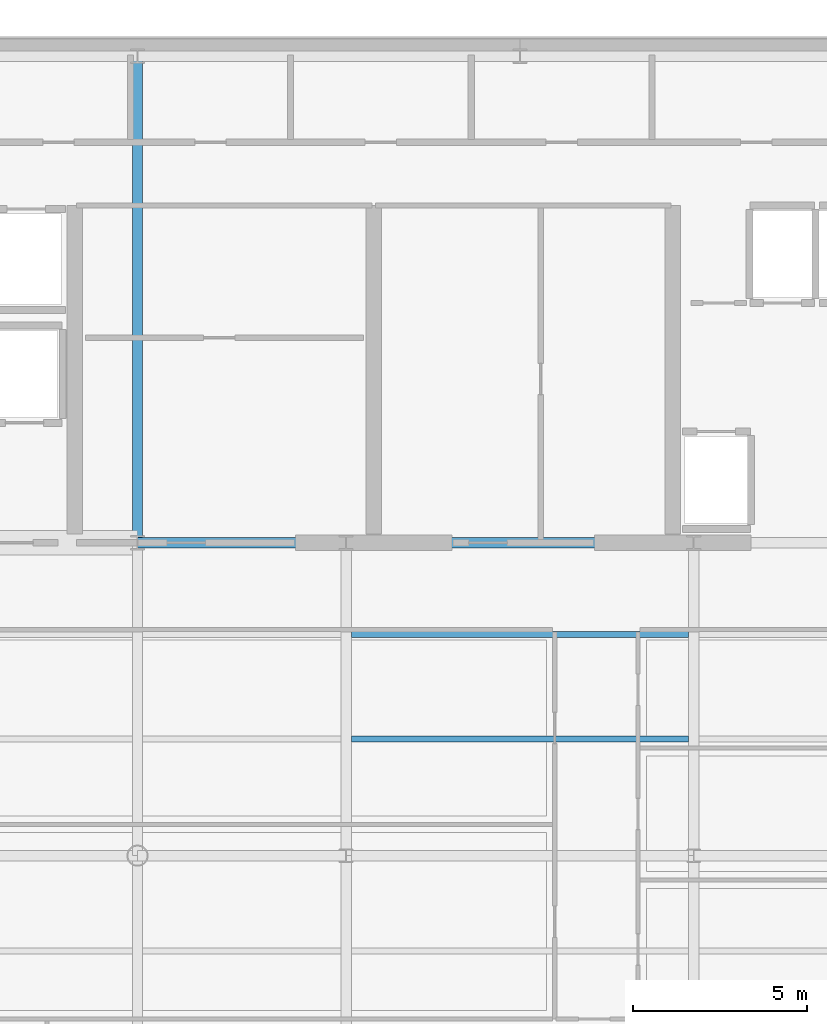
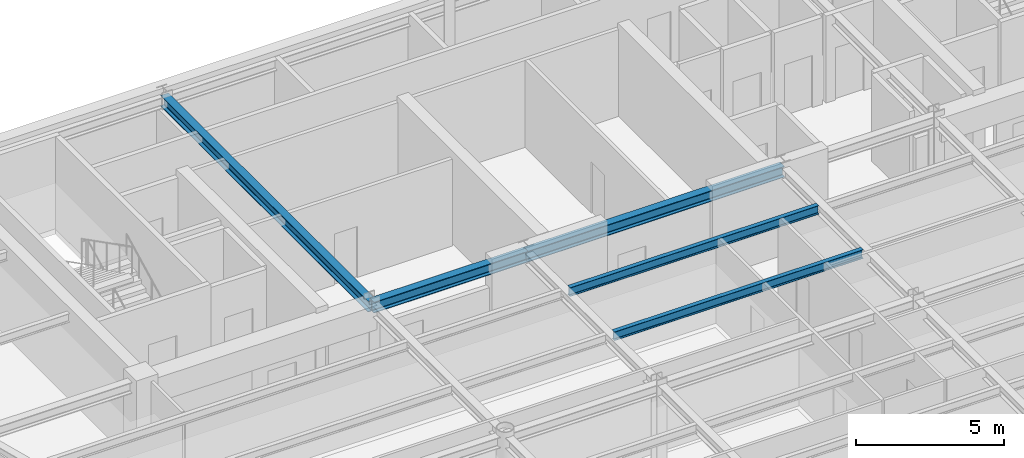
# One storey, part 5 of 20: 5 beams.
"""IFC4 building model written with IfcOpenShell, lengths in metres."""

from ifc_helpers import new_model, si_unit, direction, frame, origin, origin_2d, place, context, subcontext, project, spatial, i_section, extrude, source, transform, mapped, material, material_profile, profile_set, type_object, element, save


model = new_model("IFC4")

# Units and contexts
model_context = context("Model", 3, precision=1e-05, world=origin(), true_north=direction((0.0, 1.0)))
body_context = subcontext(model_context, "Body", "Model", "MODEL_VIEW")
ifc_project = project(units=[si_unit("LENGTHUNIT", "METRE"), si_unit("AREAUNIT", "SQUARE_METRE"), si_unit("VOLUMEUNIT", "CUBIC_METRE"), si_unit("PLANEANGLEUNIT", "RADIAN"), si_unit("MASSUNIT", "GRAM", prefix="KILO")], contexts=[model_context])

# Site, building, storey
site_placement = place(None, origin())
site = spatial("IfcSite", under=ifc_project, at=site_placement, CompositionType="ELEMENT")
building_placement = place(site_placement, origin())
building = spatial("IfcBuilding", under=site, at=building_placement, Name="Vaeldorn Concourse Tower", CompositionType="ELEMENT")
storey_placement = place(building_placement, frame((0.0, 0.0, 295.39990234375)))
storey = spatial("IfcBuildingStorey", under=building, at=storey_placement, Name="L76", CompositionType="ELEMENT", Elevation=295.39990234375)

# Beams
ifc_material = material(Name="Steel S355", Category="steel")
ifc_material_profile_1 = material_profile(ifc_material, i_section(OverallWidth=0.300048828125, OverallDepth=0.449951171875, WebThickness=0.013916015625, FlangeThickness=0.02587890625, FilletRadius=0.027099609375, at=origin_2d()), Name="HEB 450")
ifc_profile_set_1 = profile_set([ifc_material_profile_1], Name="Steel S355")
beam_type_1 = type_object("IfcBeamType", Name="BM-PG-HEB450", PredefinedType="BEAM", material=ifc_profile_set_1)
shared_shape_1 = source(origin(), body_context, "Body", "SweptSolid", [
    extrude(i_section(OverallWidth=0.300048828125, OverallDepth=0.449951171875, WebThickness=0.013916015625, FlangeThickness=0.02587890625, FilletRadius=0.027099609375, at=origin_2d()), origin(), (0.0, 0.0, 1.0), 6.0),
])
beam_1_placement = place(storey_placement, frame((23.0, 36.5, 3.35498046875), z_axis=(1.0, 0.0, 0.0), x_axis=(0.0, 1.0, 0.0)))
element("IfcBeam", 1, at=beam_1_placement, inside=storey, type_object=beam_type_1, Name="Beam BM-L76-C-FC2-C-FC3", PredefinedType="BEAM", context=body_context, shape_type="MappedRepresentation", body=[
    mapped(shared_shape_1, transform((0.0, 0.0, 0.0), scale=1.0)),
])
shared_shape_2 = source(origin(), body_context, "Body", "SweptSolid", [
    extrude(i_section(OverallWidth=0.300048828125, OverallDepth=0.449951171875, WebThickness=0.013916015625, FlangeThickness=0.02587890625, FilletRadius=0.027099609375, at=origin_2d()), origin(), (0.0, 0.0, 1.0), 10.0),
])
beam_2_placement = place(storey_placement, frame((29.0, 36.5, 3.35498046875), z_axis=(1.0, 0.0, 0.0), x_axis=(0.0, 1.0, 0.0)))
element("IfcBeam", 2, at=beam_2_placement, inside=storey, type_object=beam_type_1, Name="Beam BM-L76-C-FC3-C-FC4", PredefinedType="BEAM", context=body_context, shape_type="MappedRepresentation", body=[
    mapped(shared_shape_2, transform((0.0, 0.0, 0.0), scale=1.0)),
])
ifc_material_profile_2 = material_profile(ifc_material, i_section(OverallWidth=0.169921875, OverallDepth=0.360107421875, WebThickness=0.008056640625, FlangeThickness=0.0126953125, FilletRadius=0.01806640625, at=origin_2d()), Name="IPE 360")
ifc_profile_set_2 = profile_set([ifc_material_profile_2], Name="Steel S355")
beam_type_2 = type_object("IfcBeamType", Name="BM-JS-IPE360", PredefinedType="JOIST", material=ifc_profile_set_2)
shared_shape_3 = source(origin(), body_context, "Body", "SweptSolid", [
    extrude(i_section(OverallWidth=0.169921875, OverallDepth=0.360107421875, WebThickness=0.008056640625, FlangeThickness=0.0126953125, FilletRadius=0.01806640625, at=origin_2d()), origin(), (0.0, 0.0, 1.0), 9.7001953125),
])
for number, where, z_axis, x_axis, name in (
    (3, (29.14990234375, 30.860107421875, 3.400146484375), (1.0, 0.0, 0.0), (0.0, 1.0, 0.0), "Beam JS-L76-C-308"),
    (4, (29.14990234375, 33.860107421875, 3.400146484375), (1.0, 0.0, 0.0), (0.0, 1.0, 0.0), "Beam JS-L76-C-338"),
):
    element("IfcBeam", number, at=place(storey_placement, frame(where, z_axis=z_axis, x_axis=x_axis)), inside=storey, type_object=beam_type_2, Name=name, PredefinedType="JOIST", context=body_context, shape_type="MappedRepresentation", body=[
        mapped(shared_shape_3, transform((0.0, 0.0, 0.0), scale=1.0)),
    ])
shared_shape_4 = source(origin(), body_context, "Body", "SweptSolid", [
    extrude(i_section(OverallWidth=0.300048828125, OverallDepth=0.449951171875, WebThickness=0.013916015625, FlangeThickness=0.02587890625, FilletRadius=0.027099609375, at=origin_2d()), origin(), (0.0, 0.0, 1.0), 14.0),
])
beam_3_placement = place(storey_placement, frame((23.0, 36.5, 3.35498046875), z_axis=(0.0, 1.0, 0.0), x_axis=(-1.0, 0.0, 0.0)))
element("IfcBeam", 5, at=beam_3_placement, inside=storey, type_object=beam_type_1, Name="Beam BM-L76-C-FC2-C-HC2", PredefinedType="BEAM", context=body_context, shape_type="MappedRepresentation", body=[
    mapped(shared_shape_4, transform((0.0, 0.0, 0.0), scale=1.0)),
])

save(model, "model.ifc")
